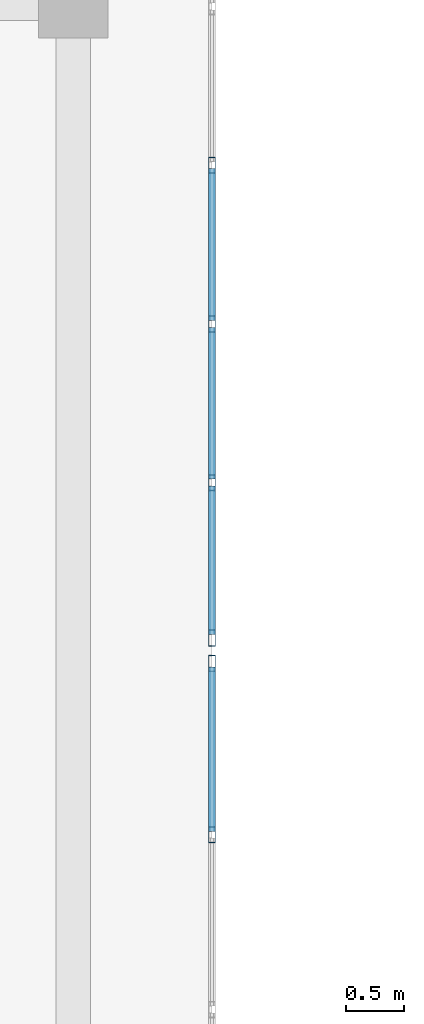
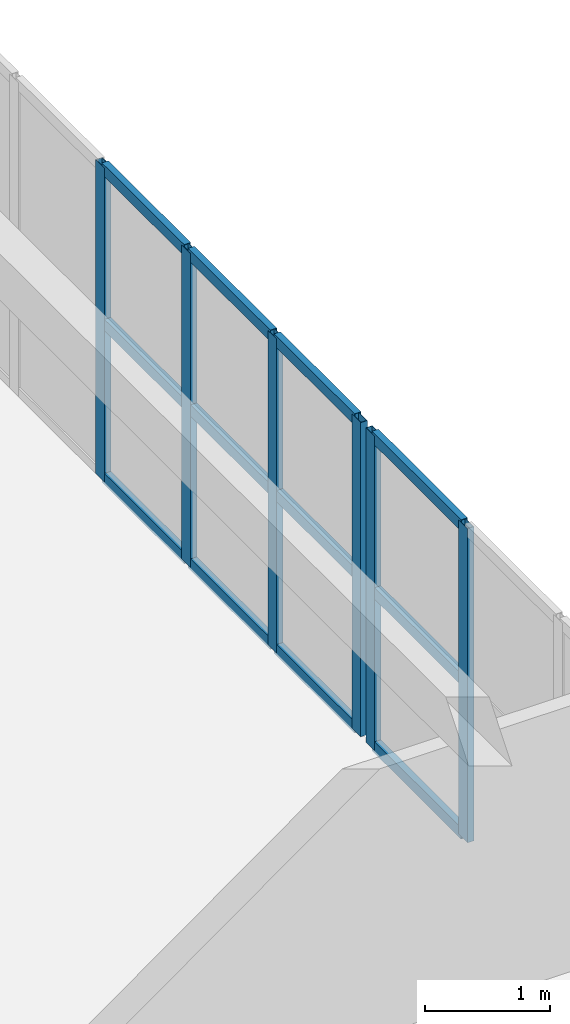
# One storey, part 111 of 200: 18 members, 2 elements without a shape of their own.
"""IFC4 building model written with IfcOpenShell, lengths in metres."""

from ifc_helpers import new_model, si_unit, direction, frame, origin, origin_2d, place, context, subcontext, project, spatial, hollow_rectangle, extrude, material, layer, layer_set, material_profile, profile_set, type_object, element, aggregate, save


model = new_model("IFC4")

# Units and contexts
model_context = context("Model", 3, precision=1e-05, world=origin(), true_north=direction((0.0, 1.0)))
body_context = subcontext(model_context, "Body", "Model", "MODEL_VIEW")
ifc_project = project(units=[si_unit("LENGTHUNIT", "METRE"), si_unit("AREAUNIT", "SQUARE_METRE"), si_unit("VOLUMEUNIT", "CUBIC_METRE"), si_unit("PLANEANGLEUNIT", "RADIAN"), si_unit("MASSUNIT", "GRAM", prefix="KILO")], contexts=[model_context])

# Site, building, storey
site_placement = place(None, origin())
site = spatial("IfcSite", under=ifc_project, at=site_placement, CompositionType="ELEMENT")
building_placement = place(site_placement, origin())
building = spatial("IfcBuilding", under=site, at=building_placement, Name="Trelvath General Hospital", CompositionType="ELEMENT")
storey_placement = place(building_placement, frame((0.0, 0.0, 4.800048828125)))
storey = spatial("IfcBuildingStorey", under=building, at=storey_placement, Name="L01", CompositionType="ELEMENT", Elevation=4.800048828125)

# Curtain wall, members
ifc_material_1 = material(Name="Anodised aluminium and low-E glass", Category="aluminium")
ifc_layer_1 = layer(ifc_material_1, 0.14990234375)
ifc_layer_set_1 = layer_set([ifc_layer_1], Name="Anodised aluminium and low-E glass")
curtain_wall_type_1 = type_object("IfcCurtainWallType", Name="CW CrystalCube 1664 306 15", PredefinedType="USERDEFINED", material=ifc_layer_set_1)
curtain_wall_1_placement = place(storey_placement, origin())
curtain_wall_1 = element("IfcCurtainWall", 1, at=curtain_wall_1_placement, inside=storey, type_object=curtain_wall_type_1, Name="Crystal Cube Curtain Wall CUBE-E-T0 E4 L01", ObjectType="Unitised Glazed Curtain Wall", PredefinedType="USERDEFINED")
ifc_material_2 = material(Name="Anodised aluminium", Category="aluminium")
ifc_material_profile_1 = material_profile(ifc_material_2, hollow_rectangle(XDim=0.06005859375, YDim=0.139892578125, WallThickness=0.00390625, at=origin_2d()), Name="RHS60x140x4")
ifc_profile_set_1 = profile_set([ifc_material_profile_1], Name="Anodised aluminium")
member_type_1 = type_object("IfcMemberType", Name="CurtainMullion 60x140", PredefinedType="MULLION", material=ifc_profile_set_1)
member_1_placement = place(storey_placement, frame((121.199951171875, 67.090087890625, 0.0), z_axis=(0.0, 0.0, 1.0), x_axis=(1.0, 0.0, 0.0)))
member_1 = element("IfcMember", 2, at=member_1_placement, type_object=member_type_1, Name="CW-165 mullion 1", PredefinedType="MULLION", context=body_context, shape_type="SweptSolid", body=[
    extrude(hollow_rectangle(XDim=0.06005859375, YDim=0.139892578125, WallThickness=0.00390625, at=origin_2d()), origin(), (0.0, 0.0, 1.0), 3.06005859375),
])
member_2_placement = place(storey_placement, frame((121.199951171875, 65.607177734375, 0.0), z_axis=(0.0, 0.0, 1.0), x_axis=(1.0, 0.0, 0.0)))
member_2 = element("IfcMember", 3, at=member_2_placement, type_object=member_type_1, Name="CW-165 mullion 2", PredefinedType="MULLION", context=body_context, shape_type="SweptSolid", body=[
    extrude(hollow_rectangle(XDim=0.06005859375, YDim=0.139892578125, WallThickness=0.00390625, at=origin_2d()), origin(), (0.0, 0.0, 1.0), 3.06005859375),
])

ifc_material_3 = material(Name="Anodised aluminium and low-E glass", Category="aluminium")
ifc_layer_2 = layer(ifc_material_3, 0.14990234375)
ifc_layer_set_2 = layer_set([ifc_layer_2], Name="Anodised aluminium and low-E glass")
curtain_wall_type_2 = type_object("IfcCurtainWallType", Name="CW CrystalCube 824 306 15", PredefinedType="USERDEFINED", material=ifc_layer_set_2)
curtain_wall_2_placement = place(storey_placement, origin())
curtain_wall_2 = element("IfcCurtainWall", 4, at=curtain_wall_2_placement, inside=storey, type_object=curtain_wall_type_2, Name="Crystal Cube Curtain Wall CUBE-E-T0 E5 L01", ObjectType="Unitised Glazed Curtain Wall", PredefinedType="USERDEFINED")
member_3_placement = place(storey_placement, frame((121.199951171875, 71.39990234375, 0.0), z_axis=(0.0, 0.0, 1.0), x_axis=(1.0, 0.0, 0.0)))
member_3 = element("IfcMember", 5, at=member_3_placement, type_object=member_type_1, Name="CW-166 mullion 4", PredefinedType="MULLION", context=body_context, shape_type="SweptSolid", body=[
    extrude(hollow_rectangle(XDim=0.06005859375, YDim=0.139892578125, WallThickness=0.00390625, at=origin_2d()), origin(), (0.0, 0.0, 1.0), 3.06005859375),
])
member_4_placement = place(storey_placement, frame((121.199951171875, 70.026611328125, 0.0), z_axis=(0.0, 0.0, 1.0), x_axis=(1.0, 0.0, 0.0)))
member_4 = element("IfcMember", 6, at=member_4_placement, type_object=member_type_1, Name="CW-166 mullion 5", PredefinedType="MULLION", context=body_context, shape_type="SweptSolid", body=[
    extrude(hollow_rectangle(XDim=0.06005859375, YDim=0.139892578125, WallThickness=0.00390625, at=origin_2d()), origin(), (0.0, 0.0, 1.0), 3.06005859375),
])
member_5_placement = place(storey_placement, frame((121.199951171875, 68.6533203125, 0.0), z_axis=(0.0, 0.0, 1.0), x_axis=(1.0, 0.0, 0.0)))
member_5 = element("IfcMember", 7, at=member_5_placement, type_object=member_type_1, Name="CW-166 mullion 6", PredefinedType="MULLION", context=body_context, shape_type="SweptSolid", body=[
    extrude(hollow_rectangle(XDim=0.06005859375, YDim=0.139892578125, WallThickness=0.00390625, at=origin_2d()), origin(), (0.0, 0.0, 1.0), 3.06005859375),
])
member_6_placement = place(storey_placement, frame((121.199951171875, 67.31005859375, 0.0), z_axis=(0.0, 0.0, 1.0), x_axis=(1.0, 0.0, 0.0)))
member_6 = element("IfcMember", 8, at=member_6_placement, type_object=member_type_1, Name="CW-166 mullion 7", PredefinedType="MULLION", context=body_context, shape_type="SweptSolid", body=[
    extrude(hollow_rectangle(XDim=0.06005859375, YDim=0.139892578125, WallThickness=0.00390625, at=origin_2d()), origin(), (0.0, 0.0, 1.0), 3.06005859375),
])

# Member
ifc_material_4 = material(Name="Anodised aluminium", Category="aluminium")
ifc_material_profile_2 = material_profile(ifc_material_4, hollow_rectangle(XDim=0.06005859375, YDim=0.110107421875, WallThickness=0.00390625, at=origin_2d()), Name="RHS60x110x4")
ifc_profile_set_2 = profile_set([ifc_material_profile_2], Name="Anodised aluminium")
member_type_2 = type_object("IfcMemberType", Name="CurtainTransom 60x110", PredefinedType="USERDEFINED", material=ifc_profile_set_2)
member_7_placement = place(storey_placement, frame((121.199951171875, 67.06005859375, 0.030029296875), z_axis=(0.0, -1.0, 0.0), x_axis=(1.0, 0.0, 0.0)))
member_7 = element("IfcMember", 9, at=member_7_placement, type_object=member_type_2, Name="CW-165 transom 1.1", ObjectType="TRANSOM", PredefinedType="USERDEFINED", context=body_context, shape_type="SweptSolid", body=[
    extrude(hollow_rectangle(XDim=0.06005859375, YDim=0.110107421875, WallThickness=0.00390625, at=origin_2d()), origin(), (0.0, 0.0, 1.0), 1.4228515625),
])

member_8_placement = place(storey_placement, frame((121.199951171875, 67.06005859375, 1.530029296875), z_axis=(0.0, -1.0, 0.0), x_axis=(1.0, 0.0, 0.0)))
member_8 = element("IfcMember", 10, at=member_8_placement, type_object=member_type_2, Name="CW-165 transom 1.2", ObjectType="TRANSOM", PredefinedType="USERDEFINED", context=body_context, shape_type="SweptSolid", body=[
    extrude(hollow_rectangle(XDim=0.06005859375, YDim=0.110107421875, WallThickness=0.00390625, at=origin_2d()), origin(), (0.0, 0.0, 1.0), 1.4228515625),
])

member_9_placement = place(storey_placement, frame((121.199951171875, 67.06005859375, 3.030029296875), z_axis=(0.0, -1.0, 0.0), x_axis=(1.0, 0.0, 0.0)))
member_9 = element("IfcMember", 11, at=member_9_placement, type_object=member_type_2, Name="CW-165 transom 1.3", ObjectType="TRANSOM", PredefinedType="USERDEFINED", context=body_context, shape_type="SweptSolid", body=[
    extrude(hollow_rectangle(XDim=0.06005859375, YDim=0.110107421875, WallThickness=0.00390625, at=origin_2d()), origin(), (0.0, 0.0, 1.0), 1.4228515625),
])

aggregate(curtain_wall_1, [member_1, member_2, member_7, member_8, member_9])

member_10_placement = place(storey_placement, frame((121.199951171875, 71.3701171875, 0.030029296875), z_axis=(0.0, -1.0, 0.0), x_axis=(1.0, 0.0, 0.0)))
member_10 = element("IfcMember", 12, at=member_10_placement, type_object=member_type_2, Name="CW-166 transom 4.1", ObjectType="TRANSOM", PredefinedType="USERDEFINED", context=body_context, shape_type="SweptSolid", body=[
    extrude(hollow_rectangle(XDim=0.06005859375, YDim=0.110107421875, WallThickness=0.00390625, at=origin_2d()), origin(), (0.0, 0.0, 1.0), 1.3134765625),
])

member_11_placement = place(storey_placement, frame((121.199951171875, 71.3701171875, 1.530029296875), z_axis=(0.0, -1.0, 0.0), x_axis=(1.0, 0.0, 0.0)))
member_11 = element("IfcMember", 13, at=member_11_placement, type_object=member_type_2, Name="CW-166 transom 4.2", ObjectType="TRANSOM", PredefinedType="USERDEFINED", context=body_context, shape_type="SweptSolid", body=[
    extrude(hollow_rectangle(XDim=0.06005859375, YDim=0.110107421875, WallThickness=0.00390625, at=origin_2d()), origin(), (0.0, 0.0, 1.0), 1.3134765625),
])

member_12_placement = place(storey_placement, frame((121.199951171875, 71.3701171875, 3.030029296875), z_axis=(0.0, -1.0, 0.0), x_axis=(1.0, 0.0, 0.0)))
member_12 = element("IfcMember", 14, at=member_12_placement, type_object=member_type_2, Name="CW-166 transom 4.3", ObjectType="TRANSOM", PredefinedType="USERDEFINED", context=body_context, shape_type="SweptSolid", body=[
    extrude(hollow_rectangle(XDim=0.06005859375, YDim=0.110107421875, WallThickness=0.00390625, at=origin_2d()), origin(), (0.0, 0.0, 1.0), 1.3134765625),
])

member_13_placement = place(storey_placement, frame((121.199951171875, 69.99658203125, 0.030029296875), z_axis=(0.0, -1.0, 0.0), x_axis=(1.0, 0.0, 0.0)))
member_13 = element("IfcMember", 15, at=member_13_placement, type_object=member_type_2, Name="CW-166 transom 5.1", ObjectType="TRANSOM", PredefinedType="USERDEFINED", context=body_context, shape_type="SweptSolid", body=[
    extrude(hollow_rectangle(XDim=0.06005859375, YDim=0.110107421875, WallThickness=0.00390625, at=origin_2d()), origin(), (0.0, 0.0, 1.0), 1.313232421875),
])

member_14_placement = place(storey_placement, frame((121.199951171875, 69.99658203125, 1.530029296875), z_axis=(0.0, -1.0, 0.0), x_axis=(1.0, 0.0, 0.0)))
member_14 = element("IfcMember", 16, at=member_14_placement, type_object=member_type_2, Name="CW-166 transom 5.2", ObjectType="TRANSOM", PredefinedType="USERDEFINED", context=body_context, shape_type="SweptSolid", body=[
    extrude(hollow_rectangle(XDim=0.06005859375, YDim=0.110107421875, WallThickness=0.00390625, at=origin_2d()), origin(), (0.0, 0.0, 1.0), 1.313232421875),
])

member_15_placement = place(storey_placement, frame((121.199951171875, 69.99658203125, 3.030029296875), z_axis=(0.0, -1.0, 0.0), x_axis=(1.0, 0.0, 0.0)))
member_15 = element("IfcMember", 17, at=member_15_placement, type_object=member_type_2, Name="CW-166 transom 5.3", ObjectType="TRANSOM", PredefinedType="USERDEFINED", context=body_context, shape_type="SweptSolid", body=[
    extrude(hollow_rectangle(XDim=0.06005859375, YDim=0.110107421875, WallThickness=0.00390625, at=origin_2d()), origin(), (0.0, 0.0, 1.0), 1.313232421875),
])

member_16_placement = place(storey_placement, frame((121.199951171875, 68.623291015625, 0.030029296875), z_axis=(0.0, -1.0, 0.0), x_axis=(1.0, 0.0, 0.0)))
member_16 = element("IfcMember", 18, at=member_16_placement, type_object=member_type_2, Name="CW-166 transom 6.1", ObjectType="TRANSOM", PredefinedType="USERDEFINED", context=body_context, shape_type="SweptSolid", body=[
    extrude(hollow_rectangle(XDim=0.06005859375, YDim=0.110107421875, WallThickness=0.00390625, at=origin_2d()), origin(), (0.0, 0.0, 1.0), 1.283203125),
])

member_17_placement = place(storey_placement, frame((121.199951171875, 68.623291015625, 1.530029296875), z_axis=(0.0, -1.0, 0.0), x_axis=(1.0, 0.0, 0.0)))
member_17 = element("IfcMember", 19, at=member_17_placement, type_object=member_type_2, Name="CW-166 transom 6.2", ObjectType="TRANSOM", PredefinedType="USERDEFINED", context=body_context, shape_type="SweptSolid", body=[
    extrude(hollow_rectangle(XDim=0.06005859375, YDim=0.110107421875, WallThickness=0.00390625, at=origin_2d()), origin(), (0.0, 0.0, 1.0), 1.283203125),
])

member_18_placement = place(storey_placement, frame((121.199951171875, 68.623291015625, 3.030029296875), z_axis=(0.0, -1.0, 0.0), x_axis=(1.0, 0.0, 0.0)))
member_18 = element("IfcMember", 20, at=member_18_placement, type_object=member_type_2, Name="CW-166 transom 6.3", ObjectType="TRANSOM", PredefinedType="USERDEFINED", context=body_context, shape_type="SweptSolid", body=[
    extrude(hollow_rectangle(XDim=0.06005859375, YDim=0.110107421875, WallThickness=0.00390625, at=origin_2d()), origin(), (0.0, 0.0, 1.0), 1.283203125),
])

aggregate(curtain_wall_2, [member_3, member_4, member_5, member_6, member_10, member_11, member_12, member_13, member_14, member_15, member_16, member_17, member_18])

save(model, "model.ifc")
